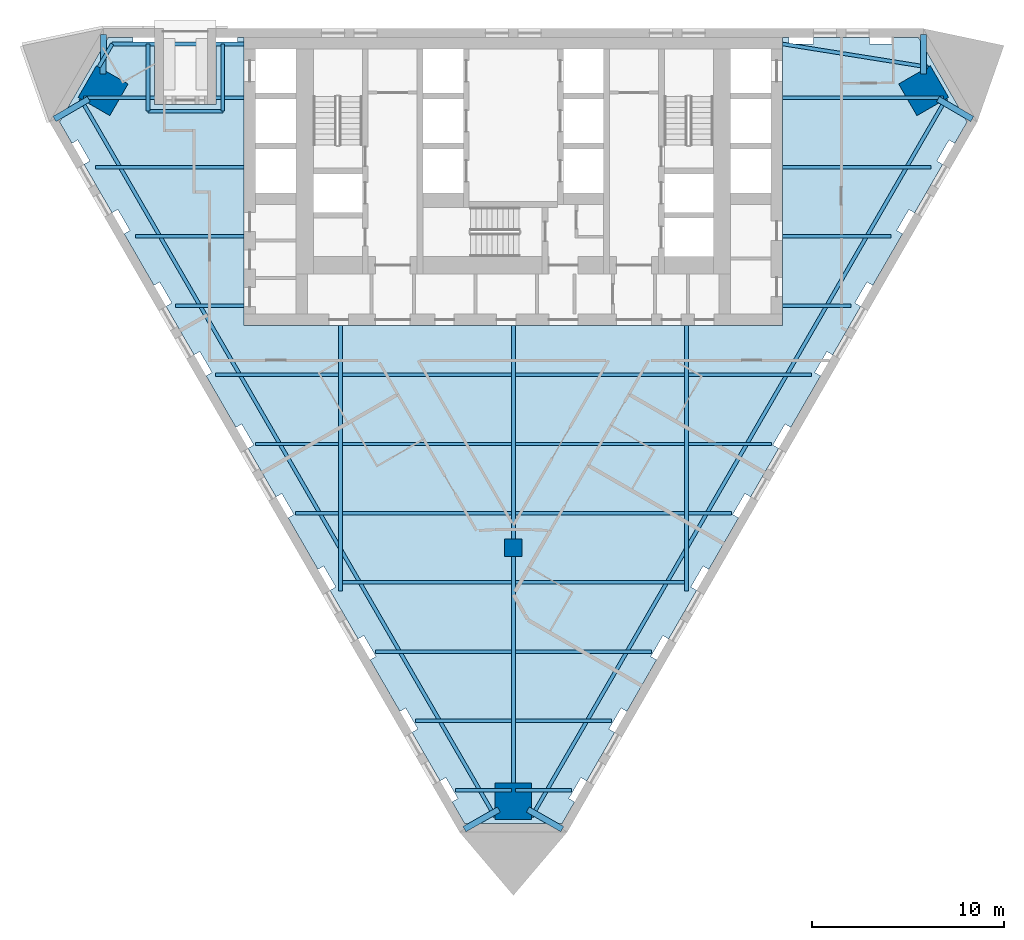
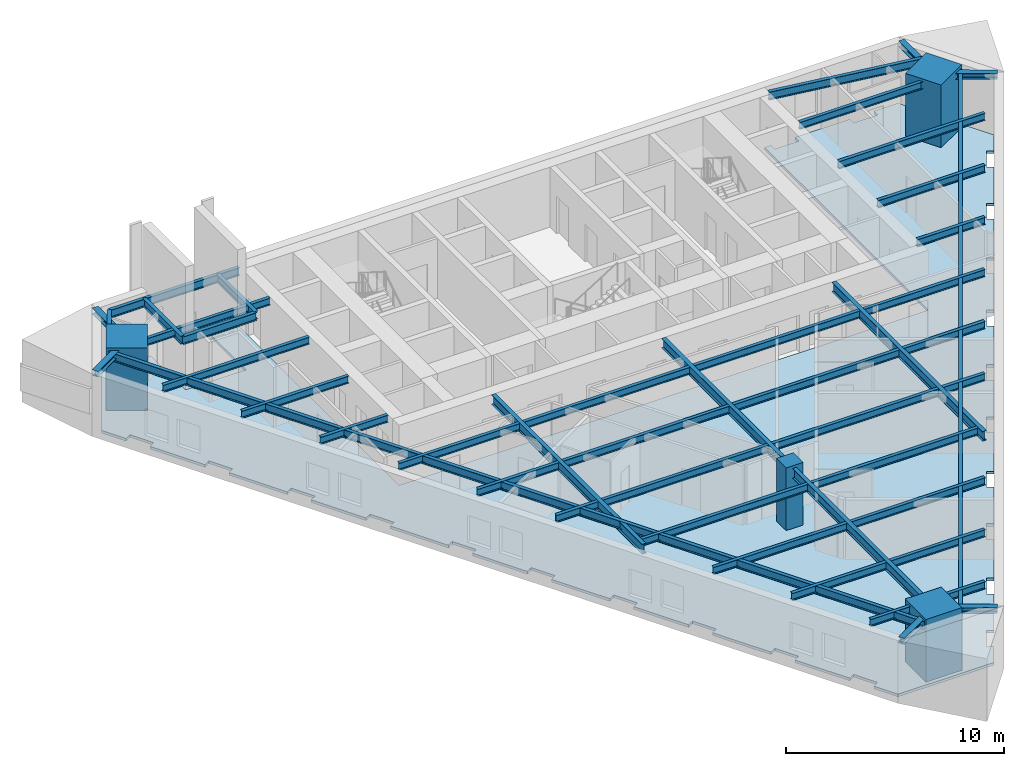
# One storey, part 1 of 9: 46 beams, 4 columns, 1 slab.
"""IFC4 building model written with IfcOpenShell, lengths in metres."""

from ifc_helpers import new_model, si_unit, direction, frame, origin, origin_2d, place, context, subcontext, project, spatial, polyline, rectangle, i_section, outline, extrude, material, layer, layer_set, material_profile, profile_set, type_object, element, save


model = new_model("IFC4")

# Units and contexts
model_context = context("Model", 3, precision=1e-05, world=origin(), true_north=direction((0.0, 1.0)))
body_context = subcontext(model_context, "Body", "Model", "MODEL_VIEW")
ifc_project = project(units=[si_unit("LENGTHUNIT", "METRE"), si_unit("AREAUNIT", "SQUARE_METRE"), si_unit("VOLUMEUNIT", "CUBIC_METRE"), si_unit("PLANEANGLEUNIT", "RADIAN"), si_unit("MASSUNIT", "GRAM", prefix="KILO")], contexts=[model_context])

# Site, building, storey
site_placement = place(None, origin())
site = spatial("IfcSite", under=ifc_project, at=site_placement, CompositionType="ELEMENT")
building_placement = place(site_placement, origin())
building = spatial("IfcBuilding", under=site, at=building_placement, Name="Aloe Facet Convention Tower", CompositionType="ELEMENT")
storey_placement = place(building_placement, frame((0.0, 0.0, 92.300048828125)))
storey = spatial("IfcBuildingStorey", under=building, at=storey_placement, Name="L22", CompositionType="ELEMENT", Elevation=92.300048828125)

# Columns
ifc_material_1 = material(Name="Concrete C70/85", Category="concrete")
ifc_material_profile_1 = material_profile(ifc_material_1, rectangle(XDim=0.89990234375, YDim=0.89990234375, at=origin_2d()), Name="SF-GC-Z2")
ifc_profile_set_1 = profile_set([ifc_material_profile_1], Name="Concrete C70/85")
column_type_1 = type_object("IfcColumnType", Name="SF-GC-Z2", PredefinedType="COLUMN", material=ifc_profile_set_1)
column_placement = place(storey_placement, frame((80.0, 108.0, 0.0), z_axis=(0.0, 0.0, 1.0), x_axis=(1.0, 0.0, 0.0)))
element("IfcColumn", 1, at=column_placement, inside=storey, type_object=column_type_1, Name="Gravity column GC-Z2-9D", PredefinedType="COLUMN", context=body_context, shape_type="SweptSolid", body=[
    extrude(rectangle(XDim=0.89990234375, YDim=0.89990234375, at=origin_2d()), origin(), (0.0, 0.0, 1.0), 3.5),
])
ifc_material_2 = material(Name="Concrete C80/95", Category="concrete")
ifc_material_profile_2 = material_profile(ifc_material_2, rectangle(XDim=1.89990234375, YDim=1.89990234375, at=origin_2d()), Name="STW-MC-Z2")
ifc_profile_set_2 = profile_set([ifc_material_profile_2], Name="Concrete C80/95")
column_type_2 = type_object("IfcColumnType", Name="STW-MC-Z2", PredefinedType="COLUMN", material=ifc_profile_set_2)
for number, where, z_axis, x_axis, name in (
    (2, (101.3359375, 131.775146484375, 0.0), (0.0, 0.0, 1.0), (-0.5, 0.866025403784, 0.0), "Mega-column MC-NE-L22"),
    (3, (58.6640625, 131.775146484375, 0.0), (0.0, 0.0, 1.0), (-0.5, -0.866025403784, 0.0), "Mega-column MC-NW-L22"),
    (4, (80.0, 94.8203125, 0.0), (0.0, 0.0, 1.0), (1.0, 0.0, 0.0), "Mega-column MC-S-L22"),
):
    element("IfcColumn", number, at=place(storey_placement, frame(where, z_axis=z_axis, x_axis=x_axis)), inside=storey, type_object=column_type_2, Name=name, PredefinedType="COLUMN", context=body_context, shape_type="SweptSolid", body=[
        extrude(rectangle(XDim=1.89990234375, YDim=1.89990234375, at=origin_2d()), origin(), (0.0, 0.0, 1.0), 3.5),
    ])

# Beams
ifc_material_3 = material(Name="Steel S355", Category="steel")
ifc_material_profile_3 = material_profile(ifc_material_3, i_section(OverallWidth=0.177734375, OverallDepth=0.402587890625, WebThickness=0.0078125, FlangeThickness=0.010986328125, FilletRadius=0.01025390625, at=origin_2d()), Name="UB 406x178x54")
ifc_profile_set_3 = profile_set([ifc_material_profile_3], Name="Steel S355")
beam_type_1 = type_object("IfcBeamType", Name="SF-B-UB406x178x54", PredefinedType="BEAM", material=ifc_profile_set_3)
beam_1_placement = place(storey_placement, frame((57.6376953125, 131.39990234375, 3.148681640625), z_axis=(1.0, 0.0, 0.0), x_axis=(0.0, 1.0, 0.0)))
element("IfcBeam", 5, at=beam_1_placement, inside=storey, type_object=beam_type_1, Name="Floor beam FB-Z2D-013", PredefinedType="BEAM", context=body_context, shape_type="SweptSolid", body=[
    extrude(i_section(OverallWidth=0.177734375, OverallDepth=0.402587890625, WebThickness=0.0078125, FlangeThickness=0.010986328125, FilletRadius=0.01025390625, at=origin_2d()), origin(), (0.0, 0.0, 1.0), 8.3623046875),
])
beam_2_placement = place(storey_placement, frame((58.27294921875, 127.800048828125, 3.148681640625), z_axis=(1.0, 0.0, 0.0), x_axis=(0.0, 1.0, 0.0)))
element("IfcBeam", 6, at=beam_2_placement, inside=storey, type_object=beam_type_1, Name="Floor beam FB-Z2D-014", PredefinedType="BEAM", context=body_context, shape_type="SweptSolid", body=[
    extrude(i_section(OverallWidth=0.177734375, OverallDepth=0.402587890625, WebThickness=0.0078125, FlangeThickness=0.010986328125, FilletRadius=0.01025390625, at=origin_2d()), origin(), (0.0, 0.0, 1.0), 7.72705078125),
])
beam_3_placement = place(storey_placement, frame((60.351318359375, 124.199951171875, 3.148681640625), z_axis=(1.0, 0.0, 0.0), x_axis=(0.0, 1.0, 0.0)))
element("IfcBeam", 7, at=beam_3_placement, inside=storey, type_object=beam_type_1, Name="Floor beam FB-Z2D-015", PredefinedType="BEAM", context=body_context, shape_type="SweptSolid", body=[
    extrude(i_section(OverallWidth=0.177734375, OverallDepth=0.402587890625, WebThickness=0.0078125, FlangeThickness=0.010986328125, FilletRadius=0.01025390625, at=origin_2d()), origin(), (0.0, 0.0, 1.0), 5.648681640625),
])
beam_4_placement = place(storey_placement, frame((62.429931640625, 120.60009765625, 3.148681640625), z_axis=(1.0, 0.0, 0.0), x_axis=(0.0, 1.0, 0.0)))
element("IfcBeam", 8, at=beam_4_placement, inside=storey, type_object=beam_type_1, Name="Floor beam FB-Z2D-016", PredefinedType="BEAM", context=body_context, shape_type="SweptSolid", body=[
    extrude(i_section(OverallWidth=0.177734375, OverallDepth=0.402587890625, WebThickness=0.0078125, FlangeThickness=0.010986328125, FilletRadius=0.01025390625, at=origin_2d()), origin(), (0.0, 0.0, 1.0), 3.570068359375),
])
beam_5_placement = place(storey_placement, frame((64.50830078125, 117.0, 3.148681640625), z_axis=(1.0, 0.0, 0.0), x_axis=(0.0, 1.0, 0.0)))
element("IfcBeam", 9, at=beam_5_placement, inside=storey, type_object=beam_type_1, Name="Floor beam FB-Z2D-017", PredefinedType="BEAM", context=body_context, shape_type="SweptSolid", body=[
    extrude(i_section(OverallWidth=0.177734375, OverallDepth=0.402587890625, WebThickness=0.0078125, FlangeThickness=0.010986328125, FilletRadius=0.01025390625, at=origin_2d()), origin(), (0.0, 0.0, 1.0), 6.38623046875),
])
beam_6_placement = place(storey_placement, frame((66.5869140625, 113.39990234375, 3.148681640625), z_axis=(1.0, 0.0, 0.0), x_axis=(0.0, 1.0, 0.0)))
element("IfcBeam", 10, at=beam_6_placement, inside=storey, type_object=beam_type_1, Name="Floor beam FB-Z2D-018", PredefinedType="BEAM", context=body_context, shape_type="SweptSolid", body=[
    extrude(i_section(OverallWidth=0.177734375, OverallDepth=0.402587890625, WebThickness=0.0078125, FlangeThickness=0.010986328125, FilletRadius=0.01025390625, at=origin_2d()), origin(), (0.0, 0.0, 1.0), 4.3076171875),
])
beam_7_placement = place(storey_placement, frame((68.665283203125, 109.800048828125, 3.148681640625), z_axis=(1.0, 0.0, 0.0), x_axis=(0.0, 1.0, 0.0)))
element("IfcBeam", 11, at=beam_7_placement, inside=storey, type_object=beam_type_1, Name="Floor beam FB-Z2D-019", PredefinedType="BEAM", context=body_context, shape_type="SweptSolid", body=[
    extrude(i_section(OverallWidth=0.177734375, OverallDepth=0.402587890625, WebThickness=0.0078125, FlangeThickness=0.010986328125, FilletRadius=0.01025390625, at=origin_2d()), origin(), (0.0, 0.0, 1.0), 2.229248046875),
])
for number, where, z_axis, x_axis, name in (
    (12, (71.10546875, 106.199951171875, 3.148681640625), (1.0, 0.0, 0.0), (0.0, 1.0, 0.0), "Floor beam FB-Z2D-020"),
    (13, (71.10546875, 109.800048828125, 3.148681640625), (1.0, 0.0, 0.0), (0.0, 1.0, 0.0), "Floor beam FB-Z2D-021"),
    (14, (71.10546875, 113.39990234375, 3.148681640625), (1.0, 0.0, 0.0), (0.0, 1.0, 0.0), "Floor beam FB-Z2D-022"),
    (15, (71.10546875, 117.0, 3.148681640625), (1.0, 0.0, 0.0), (0.0, 1.0, 0.0), "Floor beam FB-Z2D-023"),
):
    element("IfcBeam", number, at=place(storey_placement, frame(where, z_axis=z_axis, x_axis=x_axis)), inside=storey, type_object=beam_type_1, Name=name, PredefinedType="BEAM", context=body_context, shape_type="SweptSolid", body=[
        extrude(i_section(OverallWidth=0.177734375, OverallDepth=0.402587890625, WebThickness=0.0078125, FlangeThickness=0.010986328125, FilletRadius=0.01025390625, at=origin_2d()), origin(), (0.0, 0.0, 1.0), 8.7890625),
    ])
beam_8_placement = place(storey_placement, frame((72.822265625, 102.60009765625, 3.148681640625), z_axis=(1.0, 0.0, 0.0), x_axis=(0.0, 1.0, 0.0)))
element("IfcBeam", 16, at=beam_8_placement, inside=storey, type_object=beam_type_1, Name="Floor beam FB-Z2D-024", PredefinedType="BEAM", context=body_context, shape_type="SweptSolid", body=[
    extrude(i_section(OverallWidth=0.177734375, OverallDepth=0.402587890625, WebThickness=0.0078125, FlangeThickness=0.010986328125, FilletRadius=0.01025390625, at=origin_2d()), origin(), (0.0, 0.0, 1.0), 7.072265625),
])
beam_9_placement = place(storey_placement, frame((74.900634765625, 99.0, 3.148681640625), z_axis=(1.0, 0.0, 0.0), x_axis=(0.0, 1.0, 0.0)))
element("IfcBeam", 17, at=beam_9_placement, inside=storey, type_object=beam_type_1, Name="Floor beam FB-Z2D-025", PredefinedType="BEAM", context=body_context, shape_type="SweptSolid", body=[
    extrude(i_section(OverallWidth=0.177734375, OverallDepth=0.402587890625, WebThickness=0.0078125, FlangeThickness=0.010986328125, FilletRadius=0.01025390625, at=origin_2d()), origin(), (0.0, 0.0, 1.0), 4.993896484375),
])
for number, where, z_axis, x_axis, name in (
    (18, (76.97900390625, 95.39990234375, 3.148681640625), (1.0, 0.0, 0.0), (0.0, 1.0, 0.0), "Floor beam FB-Z2D-026"),
    (19, (80.10546875, 95.39990234375, 3.148681640625), (1.0, 0.0, 0.0), (0.0, 1.0, 0.0), "Floor beam FB-Z2D-027"),
):
    element("IfcBeam", number, at=place(storey_placement, frame(where, z_axis=z_axis, x_axis=x_axis)), inside=storey, type_object=beam_type_1, Name=name, PredefinedType="BEAM", context=body_context, shape_type="SweptSolid", body=[
        extrude(i_section(OverallWidth=0.177734375, OverallDepth=0.402587890625, WebThickness=0.0078125, FlangeThickness=0.010986328125, FilletRadius=0.01025390625, at=origin_2d()), origin(), (0.0, 0.0, 1.0), 2.91552734375),
    ])
beam_10_placement = place(storey_placement, frame((80.10546875, 99.0, 3.148681640625), z_axis=(1.0, 0.0, 0.0), x_axis=(0.0, 1.0, 0.0)))
element("IfcBeam", 20, at=beam_10_placement, inside=storey, type_object=beam_type_1, Name="Floor beam FB-Z2D-028", PredefinedType="BEAM", context=body_context, shape_type="SweptSolid", body=[
    extrude(i_section(OverallWidth=0.177734375, OverallDepth=0.402587890625, WebThickness=0.0078125, FlangeThickness=0.010986328125, FilletRadius=0.01025390625, at=origin_2d()), origin(), (0.0, 0.0, 1.0), 4.993896484375),
])
beam_11_placement = place(storey_placement, frame((80.10546875, 102.60009765625, 3.148681640625), z_axis=(1.0, 0.0, 0.0), x_axis=(0.0, 1.0, 0.0)))
element("IfcBeam", 21, at=beam_11_placement, inside=storey, type_object=beam_type_1, Name="Floor beam FB-Z2D-029", PredefinedType="BEAM", context=body_context, shape_type="SweptSolid", body=[
    extrude(i_section(OverallWidth=0.177734375, OverallDepth=0.402587890625, WebThickness=0.0078125, FlangeThickness=0.010986328125, FilletRadius=0.01025390625, at=origin_2d()), origin(), (0.0, 0.0, 1.0), 7.072265625),
])
for number, where, z_axis, x_axis, name in (
    (22, (80.10546875, 106.199951171875, 3.148681640625), (1.0, 0.0, 0.0), (0.0, 1.0, 0.0), "Floor beam FB-Z2D-030"),
    (23, (80.10546875, 109.800048828125, 3.148681640625), (1.0, 0.0, 0.0), (0.0, 1.0, 0.0), "Floor beam FB-Z2D-031"),
    (24, (80.10546875, 113.39990234375, 3.148681640625), (1.0, 0.0, 0.0), (0.0, 1.0, 0.0), "Floor beam FB-Z2D-032"),
    (25, (80.10546875, 117.0, 3.148681640625), (1.0, 0.0, 0.0), (0.0, 1.0, 0.0), "Floor beam FB-Z2D-033"),
):
    element("IfcBeam", number, at=place(storey_placement, frame(where, z_axis=z_axis, x_axis=x_axis)), inside=storey, type_object=beam_type_1, Name=name, PredefinedType="BEAM", context=body_context, shape_type="SweptSolid", body=[
        extrude(i_section(OverallWidth=0.177734375, OverallDepth=0.402587890625, WebThickness=0.0078125, FlangeThickness=0.010986328125, FilletRadius=0.01025390625, at=origin_2d()), origin(), (0.0, 0.0, 1.0), 8.7890625),
    ])
beam_12_placement = place(storey_placement, frame((89.10546875, 109.800048828125, 3.148681640625), z_axis=(1.0, 0.0, 0.0), x_axis=(0.0, 1.0, 0.0)))
element("IfcBeam", 26, at=beam_12_placement, inside=storey, type_object=beam_type_1, Name="Floor beam FB-Z2D-034", PredefinedType="BEAM", context=body_context, shape_type="SweptSolid", body=[
    extrude(i_section(OverallWidth=0.177734375, OverallDepth=0.402587890625, WebThickness=0.0078125, FlangeThickness=0.010986328125, FilletRadius=0.01025390625, at=origin_2d()), origin(), (0.0, 0.0, 1.0), 2.229248046875),
])
beam_13_placement = place(storey_placement, frame((89.10546875, 113.39990234375, 3.148681640625), z_axis=(1.0, 0.0, 0.0), x_axis=(0.0, 1.0, 0.0)))
element("IfcBeam", 27, at=beam_13_placement, inside=storey, type_object=beam_type_1, Name="Floor beam FB-Z2D-035", PredefinedType="BEAM", context=body_context, shape_type="SweptSolid", body=[
    extrude(i_section(OverallWidth=0.177734375, OverallDepth=0.402587890625, WebThickness=0.0078125, FlangeThickness=0.010986328125, FilletRadius=0.01025390625, at=origin_2d()), origin(), (0.0, 0.0, 1.0), 4.3076171875),
])
beam_14_placement = place(storey_placement, frame((89.10546875, 117.0, 3.148681640625), z_axis=(1.0, 0.0, 0.0), x_axis=(0.0, 1.0, 0.0)))
element("IfcBeam", 28, at=beam_14_placement, inside=storey, type_object=beam_type_1, Name="Floor beam FB-Z2D-036", PredefinedType="BEAM", context=body_context, shape_type="SweptSolid", body=[
    extrude(i_section(OverallWidth=0.177734375, OverallDepth=0.402587890625, WebThickness=0.0078125, FlangeThickness=0.010986328125, FilletRadius=0.01025390625, at=origin_2d()), origin(), (0.0, 0.0, 1.0), 6.38623046875),
])
beam_15_placement = place(storey_placement, frame((94.0, 120.60009765625, 3.148681640625), z_axis=(1.0, 0.0, 0.0), x_axis=(0.0, 1.0, 0.0)))
element("IfcBeam", 29, at=beam_15_placement, inside=storey, type_object=beam_type_1, Name="Floor beam FB-Z2D-037", PredefinedType="BEAM", context=body_context, shape_type="SweptSolid", body=[
    extrude(i_section(OverallWidth=0.177734375, OverallDepth=0.402587890625, WebThickness=0.0078125, FlangeThickness=0.010986328125, FilletRadius=0.01025390625, at=origin_2d()), origin(), (0.0, 0.0, 1.0), 3.570068359375),
])
beam_16_placement = place(storey_placement, frame((94.0, 124.199951171875, 3.148681640625), z_axis=(1.0, 0.0, 0.0), x_axis=(0.0, 1.0, 0.0)))
element("IfcBeam", 30, at=beam_16_placement, inside=storey, type_object=beam_type_1, Name="Floor beam FB-Z2D-038", PredefinedType="BEAM", context=body_context, shape_type="SweptSolid", body=[
    extrude(i_section(OverallWidth=0.177734375, OverallDepth=0.402587890625, WebThickness=0.0078125, FlangeThickness=0.010986328125, FilletRadius=0.01025390625, at=origin_2d()), origin(), (0.0, 0.0, 1.0), 5.648681640625),
])
beam_17_placement = place(storey_placement, frame((94.0, 127.800048828125, 3.148681640625), z_axis=(1.0, 0.0, 0.0), x_axis=(0.0, 1.0, 0.0)))
element("IfcBeam", 31, at=beam_17_placement, inside=storey, type_object=beam_type_1, Name="Floor beam FB-Z2D-039", PredefinedType="BEAM", context=body_context, shape_type="SweptSolid", body=[
    extrude(i_section(OverallWidth=0.177734375, OverallDepth=0.402587890625, WebThickness=0.0078125, FlangeThickness=0.010986328125, FilletRadius=0.01025390625, at=origin_2d()), origin(), (0.0, 0.0, 1.0), 7.72705078125),
])
beam_18_placement = place(storey_placement, frame((94.0, 131.39990234375, 3.148681640625), z_axis=(1.0, 0.0, 0.0), x_axis=(0.0, 1.0, 0.0)))
element("IfcBeam", 32, at=beam_18_placement, inside=storey, type_object=beam_type_1, Name="Floor beam FB-Z2D-040", PredefinedType="BEAM", context=body_context, shape_type="SweptSolid", body=[
    extrude(i_section(OverallWidth=0.177734375, OverallDepth=0.402587890625, WebThickness=0.0078125, FlangeThickness=0.010986328125, FilletRadius=0.01025390625, at=origin_2d()), origin(), (0.0, 0.0, 1.0), 8.3623046875),
])
ifc_material_4 = material(Name="Steel S355", Category="steel")
ifc_material_profile_4 = material_profile(ifc_material_4, i_section(OverallWidth=0.18994140625, OverallDepth=0.453369140625, WebThickness=0.008544921875, FlangeThickness=0.0126953125, FilletRadius=0.01025390625, at=origin_2d()), Name="UB 457x191x67")
ifc_profile_set_4 = profile_set([ifc_material_profile_4], Name="Steel S355")
beam_type_2 = type_object("IfcBeamType", Name="SF-B-UB457x191x67", PredefinedType="BEAM", material=ifc_profile_set_4)
beam_19_placement = place(storey_placement, frame((58.44189453125, 133.00048828125, 3.123291015625), z_axis=(0.500046568876, 0.865998515562, 0.0), x_axis=(-0.865998515562, 0.500046568876, 0.0)))
element("IfcBeam", 33, at=beam_19_placement, inside=storey, type_object=beam_type_2, Name="Floor beam FB-Z2D-001", PredefinedType="BEAM", context=body_context, shape_type="SweptSolid", body=[
    extrude(i_section(OverallWidth=0.18994140625, OverallDepth=0.453369140625, WebThickness=0.008544921875, FlangeThickness=0.0126953125, FilletRadius=0.01025390625, at=origin_2d()), origin(), (0.0, 0.0, 1.0), 1.390869140625),
])
beam_20_placement = place(storey_placement, frame((59.137451171875, 134.205078125, 3.123291015625), z_axis=(1.0, 0.0, 0.0), x_axis=(0.0, 1.0, 0.0)))
element("IfcBeam", 34, at=beam_20_placement, inside=storey, type_object=beam_type_2, Name="Floor beam FB-Z2D-002", PredefinedType="BEAM", context=body_context, shape_type="SweptSolid", body=[
    extrude(i_section(OverallWidth=0.18994140625, OverallDepth=0.453369140625, WebThickness=0.008544921875, FlangeThickness=0.0126953125, FilletRadius=0.01025390625, at=origin_2d()), origin(), (0.0, 0.0, 1.0), 6.862548828125),
])
beam_21_placement = place(storey_placement, frame((60.997802734375, 130.705078125, 3.123291015625), z_axis=(1.0, 0.0, 0.0), x_axis=(0.0, 1.0, 0.0)))
element("IfcBeam", 35, at=beam_21_placement, inside=storey, type_object=beam_type_2, Name="Floor beam FB-Z2D-003", PredefinedType="BEAM", context=body_context, shape_type="SweptSolid", body=[
    extrude(i_section(OverallWidth=0.18994140625, OverallDepth=0.453369140625, WebThickness=0.008544921875, FlangeThickness=0.0126953125, FilletRadius=0.01025390625, at=origin_2d()), origin(), (0.0, 0.0, 1.0), 3.889892578125),
])
for number, where, z_axis, x_axis, name in (
    (36, (60.997802734375, 134.205078125, 3.123291015625), (0.0, -1.0, 0.0), (1.0, 0.0, 0.0), "Floor beam FB-Z2D-004"),
    (37, (64.8876953125, 130.705078125, 3.123291015625), (0.0, 1.0, 0.0), (-1.0, 0.0, 0.0), "Floor beam FB-Z2D-005"),
):
    element("IfcBeam", number, at=place(storey_placement, frame(where, z_axis=z_axis, x_axis=x_axis)), inside=storey, type_object=beam_type_2, Name=name, PredefinedType="BEAM", context=body_context, shape_type="SweptSolid", body=[
        extrude(i_section(OverallWidth=0.18994140625, OverallDepth=0.453369140625, WebThickness=0.008544921875, FlangeThickness=0.0126953125, FilletRadius=0.01025390625, at=origin_2d()), origin(), (0.0, 0.0, 1.0), 3.5),
    ])
beam_22_placement = place(storey_placement, frame((79.050048828125, 94.01513671875, 3.123291015625), z_axis=(-0.499998897659, 0.86602604022, 0.0), x_axis=(-0.86602604022, -0.499998897659, 0.0)))
element("IfcBeam", 38, at=beam_22_placement, inside=storey, type_object=beam_type_2, Name="Floor beam FB-Z2D-006", PredefinedType="BEAM", context=body_context, shape_type="SweptSolid", body=[
    extrude(i_section(OverallWidth=0.18994140625, OverallDepth=0.453369140625, WebThickness=0.008544921875, FlangeThickness=0.0126953125, FilletRadius=0.01025390625, at=origin_2d()), origin(), (0.0, 0.0, 1.0), 43.1162109375),
])
beam_23_placement = place(storey_placement, frame((101.55810546875, 133.00048828125, 3.123291015625), z_axis=(-0.987536396348, 0.15739080624, 0.0), x_axis=(-0.15739080624, -0.987536396348, 0.0)))
element("IfcBeam", 39, at=beam_23_placement, inside=storey, type_object=beam_type_2, Name="Floor beam FB-Z2D-007", PredefinedType="BEAM", context=body_context, shape_type="SweptSolid", body=[
    extrude(i_section(OverallWidth=0.18994140625, OverallDepth=0.453369140625, WebThickness=0.008544921875, FlangeThickness=0.0126953125, FilletRadius=0.01025390625, at=origin_2d()), origin(), (0.0, 0.0, 1.0), 7.653564453125),
])
beam_24_placement = place(storey_placement, frame((102.508056640625, 131.35498046875, 3.123291015625), z_axis=(-0.499998897659, -0.86602604022, 0.0), x_axis=(0.86602604022, -0.499998897659, 0.0)))
element("IfcBeam", 40, at=beam_24_placement, inside=storey, type_object=beam_type_2, Name="Floor beam FB-Z2D-008", PredefinedType="BEAM", context=body_context, shape_type="SweptSolid", body=[
    extrude(i_section(OverallWidth=0.18994140625, OverallDepth=0.453369140625, WebThickness=0.008544921875, FlangeThickness=0.0126953125, FilletRadius=0.01025390625, at=origin_2d()), origin(), (0.0, 0.0, 1.0), 43.1162109375),
])
ifc_material_5 = material(Name="Steel S355", Category="steel")
ifc_material_profile_5 = material_profile(ifc_material_5, i_section(OverallWidth=0.210693359375, OverallDepth=0.53955078125, WebThickness=0.01171875, FlangeThickness=0.018798828125, FilletRadius=0.0126953125, at=origin_2d()), Name="UB 533x210x109")
ifc_profile_set_5 = profile_set([ifc_material_profile_5], Name="Steel S355")
beam_type_3 = type_object("IfcBeamType", Name="SF-B-UB533x210x109", PredefinedType="BEAM", material=ifc_profile_set_5)
beam_25_placement = place(storey_placement, frame((71.0, 119.550048828125, 3.080078125), z_axis=(0.0, -1.0, 0.0), x_axis=(1.0, 0.0, 0.0)))
element("IfcBeam", 41, at=beam_25_placement, inside=storey, type_object=beam_type_3, Name="Floor beam FB-Z2D-009", PredefinedType="BEAM", context=body_context, shape_type="SweptSolid", body=[
    extrude(i_section(OverallWidth=0.210693359375, OverallDepth=0.53955078125, WebThickness=0.01171875, FlangeThickness=0.018798828125, FilletRadius=0.0126953125, at=origin_2d()), origin(), (0.0, 0.0, 1.0), 13.80126953125),
])
beam_26_placement = place(storey_placement, frame((80.0, 107.550048828125, 3.080078125), z_axis=(0.0, -1.0, 0.0), x_axis=(1.0, 0.0, 0.0)))
element("IfcBeam", 42, at=beam_26_placement, inside=storey, type_object=beam_type_3, Name="Floor beam FB-Z2D-010", PredefinedType="BEAM", context=body_context, shape_type="SweptSolid", body=[
    extrude(i_section(OverallWidth=0.210693359375, OverallDepth=0.53955078125, WebThickness=0.01171875, FlangeThickness=0.018798828125, FilletRadius=0.0126953125, at=origin_2d()), origin(), (0.0, 0.0, 1.0), 13.429931640625),
])
beam_27_placement = place(storey_placement, frame((80.0, 119.550048828125, 3.080078125), z_axis=(0.0, -1.0, 0.0), x_axis=(1.0, 0.0, 0.0)))
element("IfcBeam", 43, at=beam_27_placement, inside=storey, type_object=beam_type_3, Name="Floor beam FB-Z2D-011", PredefinedType="BEAM", context=body_context, shape_type="SweptSolid", body=[
    extrude(i_section(OverallWidth=0.210693359375, OverallDepth=0.53955078125, WebThickness=0.01171875, FlangeThickness=0.018798828125, FilletRadius=0.0126953125, at=origin_2d()), origin(), (0.0, 0.0, 1.0), 11.10009765625),
])
beam_28_placement = place(storey_placement, frame((89.0, 119.550048828125, 3.080078125), z_axis=(0.0, -1.0, 0.0), x_axis=(1.0, 0.0, 0.0)))
element("IfcBeam", 44, at=beam_28_placement, inside=storey, type_object=beam_type_3, Name="Floor beam FB-Z2D-012", PredefinedType="BEAM", context=body_context, shape_type="SweptSolid", body=[
    extrude(i_section(OverallWidth=0.210693359375, OverallDepth=0.53955078125, WebThickness=0.01171875, FlangeThickness=0.018798828125, FilletRadius=0.0126953125, at=origin_2d()), origin(), (0.0, 0.0, 1.0), 13.80126953125),
])
ifc_material_6 = material(Name="Steel S355", Category="steel")
ifc_material_profile_6 = material_profile(ifc_material_6, i_section(OverallWidth=0.311279296875, OverallDepth=0.3271484375, WebThickness=0.015869140625, FlangeThickness=0.02490234375, FilletRadius=0.01513671875, at=origin_2d()), Name="UC 305x305x158")
ifc_profile_set_6 = profile_set([ifc_material_profile_6], Name="Steel S355")
beam_type_4 = type_object("IfcBeamType", Name="STW-NT", PredefinedType="BEAM", material=ifc_profile_set_6)
for number, where, z_axis, x_axis, name in (
    (45, (101.321533203125, 134.699951171875, 3.186279296875), (0.004856036549, -0.999988209385, 0.0), (0.999988209385, 0.004856036549, 0.0), "Lattice tie NT-Z2-F1-R2-01"),
    (46, (58.678466796875, 134.699951171875, 3.186279296875), (-0.004856036549, -0.999988209385, 0.0), (0.999988209385, -0.004856036549, 0.0), "Lattice tie NT-Z2-F1-R2-06"),
):
    element("IfcBeam", number, at=place(storey_placement, frame(where, z_axis=z_axis, x_axis=x_axis)), inside=storey, type_object=beam_type_4, Name=name, PredefinedType="BEAM", context=body_context, shape_type="SweptSolid", body=[
        extrude(i_section(OverallWidth=0.311279296875, OverallDepth=0.3271484375, WebThickness=0.015869140625, FlangeThickness=0.02490234375, FilletRadius=0.01513671875, at=origin_2d()), origin(), (0.0, 0.0, 1.0), 2.061279296875),
    ])
beam_29_placement = place(storey_placement, frame((56.13818359375, 130.30029296875, 3.186279296875), z_axis=(0.863607032056, 0.504165542439, 0.0), x_axis=(-0.504165542439, 0.863607032056, 0.0)))
element("IfcBeam", 47, at=beam_29_placement, inside=storey, type_object=beam_type_4, Name="Lattice tie NT-Z2-F2-R2-01", PredefinedType="BEAM", context=body_context, shape_type="SweptSolid", body=[
    extrude(i_section(OverallWidth=0.311279296875, OverallDepth=0.3271484375, WebThickness=0.015869140625, FlangeThickness=0.02490234375, FilletRadius=0.01513671875, at=origin_2d()), origin(), (0.0, 0.0, 1.0), 2.0615234375),
])
for number, where, z_axis, x_axis, name in (
    (48, (77.459716796875, 93.370361328125, 3.186279296875), (0.868512690203, 0.495666931474, 0.0), (-0.495666931474, 0.868512690203, 0.0), "Lattice tie NT-Z2-F2-R2-06"),
    (49, (82.540283203125, 93.370361328125, 3.186279296875), (-0.868512690203, 0.495666931474, 0.0), (-0.495666931474, -0.868512690203, 0.0), "Lattice tie NT-Z2-F3-R2-01"),
):
    element("IfcBeam", number, at=place(storey_placement, frame(where, z_axis=z_axis, x_axis=x_axis)), inside=storey, type_object=beam_type_4, Name=name, PredefinedType="BEAM", context=body_context, shape_type="SweptSolid", body=[
        extrude(i_section(OverallWidth=0.311279296875, OverallDepth=0.3271484375, WebThickness=0.015869140625, FlangeThickness=0.02490234375, FilletRadius=0.01513671875, at=origin_2d()), origin(), (0.0, 0.0, 1.0), 2.061279296875),
    ])
beam_30_placement = place(storey_placement, frame((103.86181640625, 130.30029296875, 3.186279296875), z_axis=(-0.863607032056, 0.504165542439, 0.0), x_axis=(-0.504165542439, -0.863607032056, 0.0)))
element("IfcBeam", 50, at=beam_30_placement, inside=storey, type_object=beam_type_4, Name="Lattice tie NT-Z2-F3-R2-06", PredefinedType="BEAM", context=body_context, shape_type="SweptSolid", body=[
    extrude(i_section(OverallWidth=0.311279296875, OverallDepth=0.3271484375, WebThickness=0.015869140625, FlangeThickness=0.02490234375, FilletRadius=0.01513671875, at=origin_2d()), origin(), (0.0, 0.0, 1.0), 2.0615234375),
])

# Slab
ifc_material_7 = material(Name="Concrete C35/45", Category="concrete")
ifc_layer = layer(ifc_material_7, 0.14990234375)
ifc_layer_set = layer_set([ifc_layer], Name="SF-FS-150")
slab_type = type_object("IfcSlabType", Name="SF-FS-150", PredefinedType="FLOOR", material=ifc_layer_set)
slab_placement = place(storey_placement, frame((0.0, 0.0, -0.150146484375)))
element("IfcSlab", 51, at=slab_placement, inside=storey, type_object=slab_type, Name="Floor slab L22-1", PredefinedType="FLOOR", context=body_context, shape_type="SweptSolid", body=[
    extrude(outline(polyline([(103.601806640625, 130.150390625), (102.95849609375, 129.035888671875), (102.655517578125, 129.210693359375), (102.024169921875, 128.11767578125), (102.327392578125, 127.942626953125), (100.8720703125, 125.421875), (100.56884765625, 125.596923828125), (99.937744140625, 124.503662109375), (100.240966796875, 124.32861328125), (98.694091796875, 121.64990234375), (98.39111328125, 121.82470703125), (97.760009765625, 120.731689453125), (98.06298828125, 120.556640625), (96.607666015625, 118.035888671875), (96.3046875, 118.2109375), (95.67333984375, 117.11767578125), (95.9765625, 116.942626953125), (94.429931640625, 114.263916015625), (94.126708984375, 114.438720703125), (93.49560546875, 113.345703125), (93.798583984375, 113.170654296875), (92.343505859375, 110.64990234375), (92.040283203125, 110.824951171875), (91.4091796875, 109.731689453125), (91.712158203125, 109.556640625), (90.16552734375, 106.877685546875), (89.862548828125, 107.052734375), (89.231201171875, 105.959716796875), (89.534423828125, 105.78466796875), (88.0791015625, 103.263916015625), (87.77587890625, 103.43896484375), (87.144775390625, 102.345703125), (87.447998046875, 102.170654296875), (85.9013671875, 99.49169921875), (85.59814453125, 99.666748046875), (84.967041015625, 98.573486328125), (85.27001953125, 98.398681640625), (83.814697265625, 95.8779296875), (83.51171875, 96.052978515625), (82.880615234375, 94.959716796875), (83.18359375, 94.78466796875), (82.540283203125, 93.67041015625), (77.459716796875, 93.67041015625), (76.81640625, 94.78466796875), (77.119384765625, 94.959716796875), (76.48828125, 96.052978515625), (76.185302734375, 95.8779296875), (74.72998046875, 98.398681640625), (75.032958984375, 98.573486328125), (74.40185546875, 99.666748046875), (74.0986328125, 99.49169921875), (72.552001953125, 102.170654296875), (72.855224609375, 102.345703125), (72.22412109375, 103.43896484375), (71.9208984375, 103.263916015625), (70.465576171875, 105.78466796875), (70.768798828125, 105.959716796875), (70.137451171875, 107.052734375), (69.83447265625, 106.877685546875), (68.287841796875, 109.556640625), (68.5908203125, 109.731689453125), (67.959716796875, 110.824951171875), (67.656494140625, 110.64990234375), (66.201416015625, 113.170654296875), (66.50439453125, 113.345703125), (65.873291015625, 114.438720703125), (65.570068359375, 114.263916015625), (64.0234375, 116.942626953125), (64.32666015625, 117.11767578125), (63.6953125, 118.2109375), (63.392333984375, 118.035888671875), (61.93701171875, 120.556640625), (62.239990234375, 120.731689453125), (61.60888671875, 121.82470703125), (61.305908203125, 121.64990234375), (59.759033203125, 124.32861328125), (60.062255859375, 124.503662109375), (59.43115234375, 125.596923828125), (59.1279296875, 125.421875), (57.672607421875, 127.942626953125), (57.975830078125, 128.11767578125), (57.344482421875, 129.210693359375), (57.04150390625, 129.035888671875), (56.398193359375, 130.150390625), (58.938232421875, 134.550048828125), (60.22509765625, 134.550048828125), (60.22509765625, 134.199951171875), (61.3427734375, 134.199951171875), (61.3427734375, 131.050048828125), (64.542724609375, 131.050048828125), (64.542724609375, 134.199951171875), (65.660400390625, 134.199951171875), (65.660400390625, 134.550048828125), (66.0, 134.550048828125), (66.0, 131.949951171875), (66.0, 131.050048828125), (66.0, 129.35009765625), (66.0, 128.449951171875), (66.0, 126.449951171875), (66.0, 125.85009765625), (66.0, 124.5), (66.0, 123.449951171875), (66.0, 122.550048828125), (66.0, 121.5), (66.0, 119.550048828125), (69.300048828125, 119.550048828125), (72.10009765625, 119.550048828125), (73.14990234375, 119.550048828125), (74.300048828125, 119.550048828125), (75.35009765625, 119.550048828125), (77.5, 119.550048828125), (78.550048828125, 119.550048828125), (80.699951171875, 119.550048828125), (81.75, 119.550048828125), (82.64990234375, 119.550048828125), (83.699951171875, 119.550048828125), (84.64990234375, 119.550048828125), (85.699951171875, 119.550048828125), (86.85009765625, 119.550048828125), (87.89990234375, 119.550048828125), (88.550048828125, 119.550048828125), (89.60009765625, 119.550048828125), (90.699951171875, 119.550048828125), (91.300048828125, 119.550048828125), (94.0, 119.550048828125), (94.0, 122.523681640625), (94.0, 123.57373046875), (94.0, 125.85009765625), (94.0, 126.449951171875), (94.0, 128.449951171875), (94.0, 129.35009765625), (94.0, 131.050048828125), (94.0, 131.949951171875), (94.0, 134.550048828125), (94.339599609375, 134.550048828125), (94.339599609375, 134.199951171875), (95.601806640625, 134.199951171875), (95.601806640625, 134.550048828125), (98.512451171875, 134.550048828125), (98.512451171875, 134.199951171875), (99.77490234375, 134.199951171875), (99.77490234375, 134.550048828125), (101.061767578125, 134.550048828125), (103.601806640625, 130.150390625)]), holes=[polyline([(80.449951171875, 107.550048828125), (80.449951171875, 108.449951171875), (79.550048828125, 108.449951171875), (79.550048828125, 107.550048828125), (80.449951171875, 107.550048828125)]), polyline([(58.31640625, 133.072998046875), (57.366455078125, 131.427490234375), (59.01171875, 130.477294921875), (59.9619140625, 132.122802734375), (58.31640625, 133.072998046875)]), polyline([(79.050048828125, 93.870361328125), (80.949951171875, 93.870361328125), (80.949951171875, 95.770263671875), (79.050048828125, 95.770263671875), (79.050048828125, 93.870361328125)]), polyline([(102.633544921875, 131.427490234375), (101.68359375, 133.072998046875), (100.0380859375, 132.122802734375), (100.98828125, 130.477294921875), (102.633544921875, 131.427490234375)])]), origin(), (0.0, 0.0, 1.0), 0.150146484375),
])

save(model, "model.ifc")
